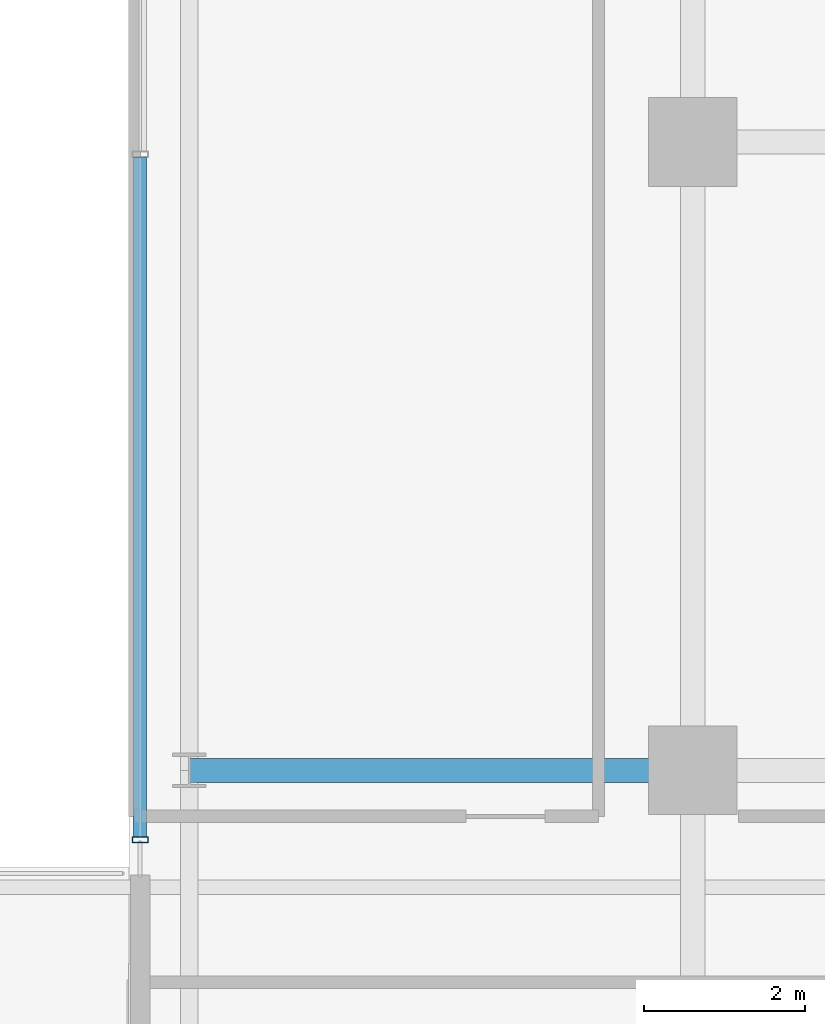
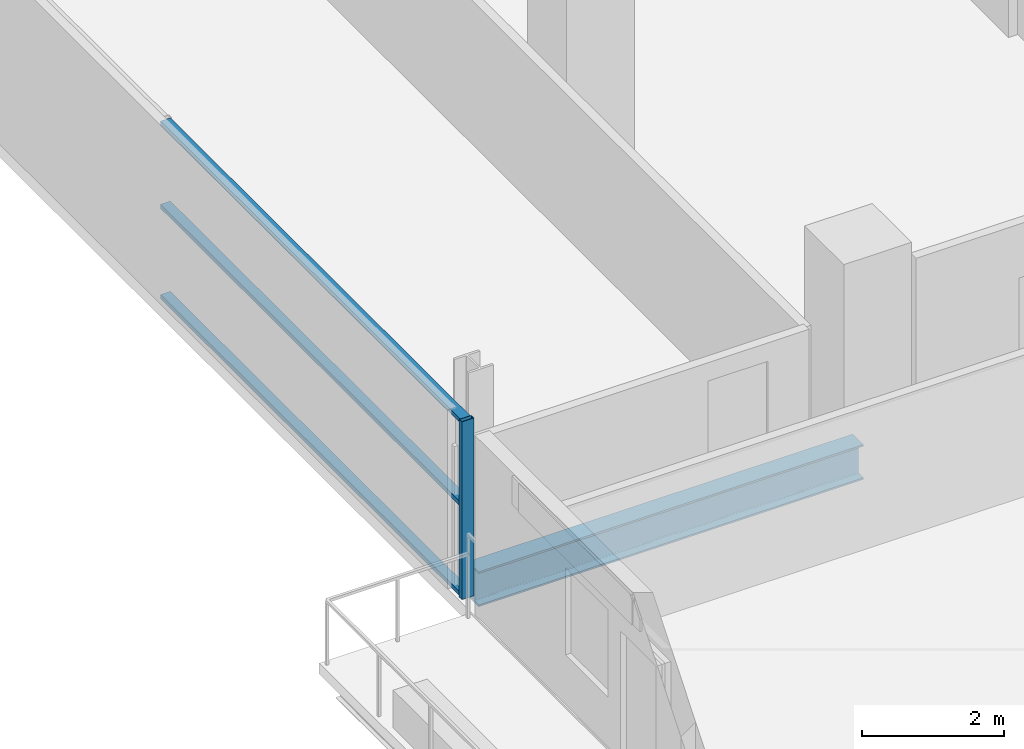
# One storey, part 5 of 31: 4 members, 1 beam, 1 element without a shape of its own.
"""IFC4 building model written with IfcOpenShell, lengths in metres."""

from ifc_helpers import new_model, si_unit, direction, frame, origin, origin_2d, place, context, subcontext, project, spatial, hollow_rectangle, i_section, extrude, source, transform, mapped, material, layer, layer_set, material_profile, profile_set, type_object, element, aggregate, save


model = new_model("IFC4")

# Units and contexts
model_context = context("Model", 3, precision=1e-05, world=origin(), true_north=direction((0.0, 1.0)))
body_context = subcontext(model_context, "Body", "Model", "MODEL_VIEW")
ifc_project = project(units=[si_unit("LENGTHUNIT", "METRE"), si_unit("AREAUNIT", "SQUARE_METRE"), si_unit("VOLUMEUNIT", "CUBIC_METRE"), si_unit("PLANEANGLEUNIT", "RADIAN"), si_unit("MASSUNIT", "GRAM", prefix="KILO")], contexts=[model_context])

# Site, building, storey
site_placement = place(None, origin())
site = spatial("IfcSite", under=ifc_project, at=site_placement, CompositionType="ELEMENT")
building_placement = place(site_placement, origin())
building = spatial("IfcBuilding", under=site, at=building_placement, Name="Zarnakvel Exchange Tower", CompositionType="ELEMENT")
storey_placement = place(building_placement, frame((0.0, 0.0, 60.39990234375)))
storey = spatial("IfcBuildingStorey", under=building, at=storey_placement, Name="L16", CompositionType="ELEMENT", Elevation=60.39990234375)

# Beam
ifc_material_1 = material(Name="Steel S355", Category="steel")
ifc_material_profile_1 = material_profile(ifc_material_1, i_section(OverallWidth=0.300048828125, OverallDepth=0.60009765625, WebThickness=0.015380859375, FlangeThickness=0.030029296875, FilletRadius=0.027099609375, at=origin_2d()))
ifc_profile_set_1 = profile_set([ifc_material_profile_1], Name="Steel S355")
beam_type = type_object("IfcBeamType", Name="G-04", PredefinedType="BEAM", material=ifc_profile_set_1)
beam_placement = place(storey_placement, frame((-27.85009765625, -1.199951171875, -0.52490234375), z_axis=(1.0, 0.0, 0.0), x_axis=(0.0, 1.0, 0.0)))
element("IfcBeam", 1, at=beam_placement, inside=storey, type_object=beam_type, Name="L16 Tower E-W Frame Beam", PredefinedType="BEAM", context=body_context, shape_type="SweptSolid", body=[
    extrude(i_section(OverallWidth=0.300048828125, OverallDepth=0.60009765625, WebThickness=0.015380859375, FlangeThickness=0.030029296875, FilletRadius=0.027099609375, at=origin_2d()), origin(), (0.0, 0.0, 1.0), 6.25),
])

# Curtain wall, members
ifc_material_2 = material(Name="Architectural Bronze Anodised Aluminium", Category="aluminium")
ifc_layer = layer(ifc_material_2, 0.199951171875)
ifc_layer_set = layer_set([ifc_layer], Name="Architectural Bronze Anodised Aluminium")
curtain_wall_type = type_object("IfcCurtainWallType", Name="CW-04", PredefinedType="NOTDEFINED", material=ifc_layer_set)
curtain_wall_placement = place(storey_placement, origin())
curtain_wall = element("IfcCurtainWall", 2, at=curtain_wall_placement, inside=storey, type_object=curtain_wall_type, Name="L16 Curtain Wall CW-L16-WN (CW-04)", PredefinedType="NOTDEFINED")
ifc_material_profile_2 = material_profile(ifc_material_2, hollow_rectangle(XDim=0.199951171875, YDim=0.074951171875, WallThickness=0.0048828125, at=origin_2d()))
ifc_profile_set_2 = profile_set([ifc_material_profile_2], Name="Architectural Bronze Anodised Aluminium")
member_type_1 = type_object("IfcMemberType", Name="CWM-04", PredefinedType="MULLION", material=ifc_profile_set_2)
shared_shape_1 = source(origin(), body_context, "Body", "SweptSolid", [
    extrude(hollow_rectangle(XDim=0.199951171875, YDim=0.074951171875, WallThickness=0.0048828125, at=origin_2d()), origin(), (0.0, 0.0, 1.0), 3.05517578125),
])
member_1_placement = place(storey_placement, frame((-28.4599609375, -2.0625, 0.0), z_axis=(0.0, 0.0, 1.0), x_axis=(-1.0, 0.0, 0.0)))
member_1 = element("IfcMember", 3, at=member_1_placement, type_object=member_type_1, Name="CW-04 mullion 1", PredefinedType="MULLION", context=body_context, shape_type="MappedRepresentation", body=[
    mapped(shared_shape_1, transform((0.0, 0.0, 0.0), x_axis=(1.0, 0.0, 0.0), y_axis=(0.0, 1.0, 0.0), z_axis=(0.0, 0.0, 1.0), scale=1.0)),
])
ifc_material_profile_3 = material_profile(ifc_material_2, hollow_rectangle(XDim=0.159912109375, YDim=0.074951171875, WallThickness=0.00390625, at=origin_2d()))
ifc_profile_set_3 = profile_set([ifc_material_profile_3], Name="Architectural Bronze Anodised Aluminium")
member_type_2 = type_object("IfcMemberType", Name="CWT-04", PredefinedType="USERDEFINED", material=ifc_profile_set_3)
shared_shape_2 = source(origin(), body_context, "Body", "SweptSolid", [
    extrude(hollow_rectangle(XDim=0.159912109375, YDim=0.074951171875, WallThickness=0.00390625, at=origin_2d()), origin(), (0.0, 0.0, 1.0), 8.4375),
])
member_2_placement = place(storey_placement, frame((-28.4599609375, -2.02490234375, 0.03759765625), z_axis=(0.0, 1.0, 0.0), x_axis=(-1.0, 0.0, 0.0)))
member_2 = element("IfcMember", 4, at=member_2_placement, type_object=member_type_2, Name="CW-04 transom 1.1", ObjectType="TRANSOM", PredefinedType="USERDEFINED", context=body_context, shape_type="MappedRepresentation", body=[
    mapped(shared_shape_2, transform((0.0, 0.0, 0.0), x_axis=(1.0, 0.0, 0.0), y_axis=(0.0, 1.0, 0.0), z_axis=(0.0, 0.0, 1.0), scale=1.0)),
])
member_3_placement = place(storey_placement, frame((-28.4599609375, -2.02490234375, 1.588623046875), z_axis=(0.0, 1.0, 0.0), x_axis=(-1.0, 0.0, 0.0)))
member_3 = element("IfcMember", 5, at=member_3_placement, type_object=member_type_2, Name="CW-04 transom 1.2", ObjectType="TRANSOM", PredefinedType="USERDEFINED", context=body_context, shape_type="MappedRepresentation", body=[
    mapped(shared_shape_2, transform((0.0, 0.0, 0.0), x_axis=(1.0, 0.0, 0.0), y_axis=(0.0, 1.0, 0.0), z_axis=(0.0, 0.0, 1.0), scale=1.0)),
])
member_4_placement = place(storey_placement, frame((-28.4599609375, -2.02490234375, 3.017578125), z_axis=(0.0, 1.0, 0.0), x_axis=(-1.0, 0.0, 0.0)))
member_4 = element("IfcMember", 6, at=member_4_placement, type_object=member_type_2, Name="CW-04 transom 1.3", ObjectType="TRANSOM", PredefinedType="USERDEFINED", context=body_context, shape_type="MappedRepresentation", body=[
    mapped(shared_shape_2, transform((0.0, 0.0, 0.0), x_axis=(1.0, 0.0, 0.0), y_axis=(0.0, 1.0, 0.0), z_axis=(0.0, 0.0, 1.0), scale=1.0)),
])
aggregate(curtain_wall, [member_1, member_2, member_3, member_4])

save(model, "model.ifc")
